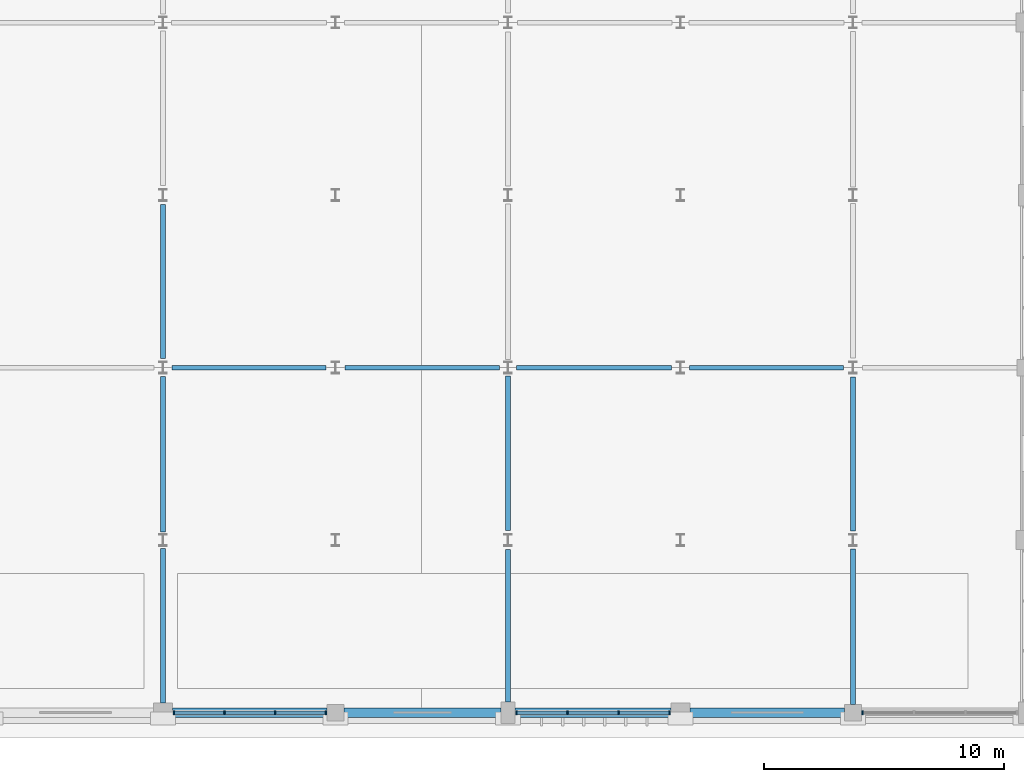
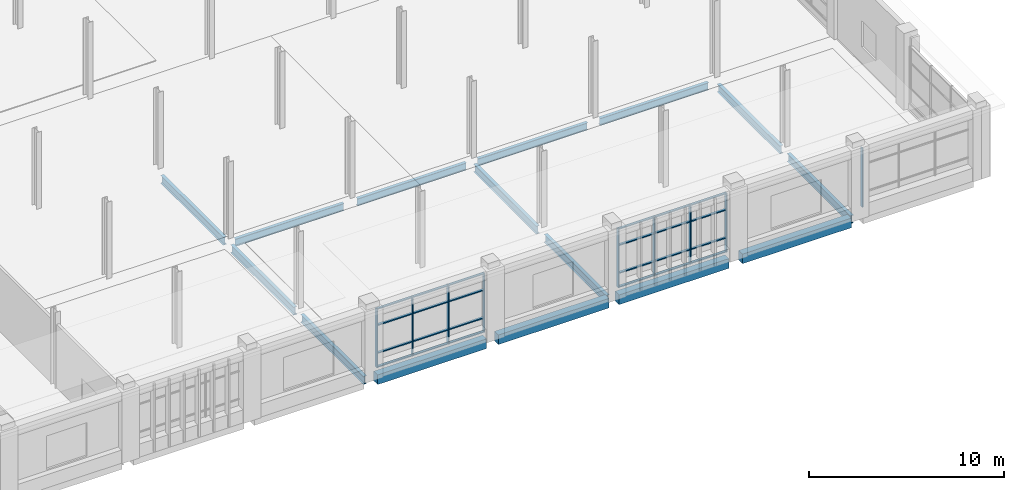
# One storey, part 39 of 82: 33 members, 15 beams, 3 elements without a shape of their own.
"""IFC4 building model written with IfcOpenShell, lengths in metres."""

from ifc_helpers import new_model, si_unit, direction, frame, origin, origin_2d, place, context, subcontext, project, spatial, rectangle, i_section, extrude, material, material_profile, profile_set, type_object, element, aggregate, save


model = new_model("IFC4")

# Units and contexts
model_context = context("Model", 3, precision=1e-05, world=origin(), true_north=direction((0.0, 1.0)))
body_context = subcontext(model_context, "Body", "Model", "MODEL_VIEW")
ifc_project = project(units=[si_unit("LENGTHUNIT", "METRE"), si_unit("AREAUNIT", "SQUARE_METRE"), si_unit("VOLUMEUNIT", "CUBIC_METRE"), si_unit("PLANEANGLEUNIT", "RADIAN"), si_unit("MASSUNIT", "GRAM", prefix="KILO")], contexts=[model_context])

# Site, building, storey
site_placement = place(None, origin())
site = spatial("IfcSite", under=ifc_project, at=site_placement, CompositionType="ELEMENT")
building_placement = place(site_placement, origin())
building = spatial("IfcBuilding", under=site, at=building_placement, Name="Sardonyx Promenade Sports Hall", CompositionType="ELEMENT")
storey_placement = place(building_placement, frame((0.0, 0.0, 11.199951171875)))
storey = spatial("IfcBuildingStorey", under=building, at=storey_placement, Name="L02", CompositionType="ELEMENT", Elevation=11.199951171875)

# Beams
ifc_material_1 = material(Name="Steel S355JR", Category="steel")
ifc_material_profile_1 = material_profile(ifc_material_1, i_section(OverallWidth=0.18994140625, OverallDepth=0.453369140625, WebThickness=0.008544921875, FlangeThickness=0.0126953125, at=origin_2d()))
ifc_profile_set_1 = profile_set([ifc_material_profile_1], Name="Steel S355JR")
beam_type_1 = type_object("IfcBeamType", Name="Bm_Girder_UB457", PredefinedType="BEAM", material=ifc_profile_set_1)
beam_1_placement = place(storey_placement, frame((129.97509765625, 14.39990234375, -0.5166015625), z_axis=(1.0, 0.0, 0.0), x_axis=(0.0, 1.0, 0.0)))
element("IfcBeam", 1, at=beam_1_placement, inside=storey, type_object=beam_type_1, Name="Beam SB01 L02 #488", PredefinedType="BEAM", context=body_context, shape_type="SweptSolid", body=[
    extrude(i_section(OverallWidth=0.18994140625, OverallDepth=0.453369140625, WebThickness=0.008544921875, FlangeThickness=0.0126953125, at=origin_2d()), origin(), (0.0, 0.0, 1.0), 6.4248046875),
])
beam_2_placement = place(storey_placement, frame((137.199951171875, 14.39990234375, -0.5166015625), z_axis=(1.0, 0.0, 0.0), x_axis=(0.0, 1.0, 0.0)))
element("IfcBeam", 2, at=beam_2_placement, inside=storey, type_object=beam_type_1, Name="Beam SB01 L02 #489", PredefinedType="BEAM", context=body_context, shape_type="SweptSolid", body=[
    extrude(i_section(OverallWidth=0.18994140625, OverallDepth=0.453369140625, WebThickness=0.008544921875, FlangeThickness=0.0126953125, at=origin_2d()), origin(), (0.0, 0.0, 1.0), 6.449951171875),
])
beam_3_placement = place(storey_placement, frame((144.35009765625, 14.39990234375, -0.5166015625), z_axis=(1.0, 0.0, 0.0), x_axis=(0.0, 1.0, 0.0)))
element("IfcBeam", 3, at=beam_3_placement, inside=storey, type_object=beam_type_1, Name="Beam SB01 L02 #490", PredefinedType="BEAM", context=body_context, shape_type="SweptSolid", body=[
    extrude(i_section(OverallWidth=0.18994140625, OverallDepth=0.453369140625, WebThickness=0.008544921875, FlangeThickness=0.0126953125, at=origin_2d()), origin(), (0.0, 0.0, 1.0), 6.474853515625),
])
beam_4_placement = place(storey_placement, frame((151.574951171875, 14.39990234375, -0.5166015625), z_axis=(1.0, 0.0, 0.0), x_axis=(0.0, 1.0, 0.0)))
element("IfcBeam", 4, at=beam_4_placement, inside=storey, type_object=beam_type_1, Name="Beam SB01 L02 #491", PredefinedType="BEAM", context=body_context, shape_type="SweptSolid", body=[
    extrude(i_section(OverallWidth=0.18994140625, OverallDepth=0.453369140625, WebThickness=0.008544921875, FlangeThickness=0.0126953125, at=origin_2d()), origin(), (0.0, 0.0, 1.0), 6.425048828125),
])
ifc_material_2 = material(Name="Steel S355JR", Category="steel")
ifc_material_profile_2 = material_profile(ifc_material_2, i_section(OverallWidth=0.199951171875, OverallDepth=0.5, WebThickness=0.01025390625, FlangeThickness=0.01611328125, at=origin_2d()))
ifc_profile_set_2 = profile_set([ifc_material_profile_2], Name="Steel S355JR")
beam_type_2 = type_object("IfcBeamType", Name="Bm_Primary_IPE500", PredefinedType="BEAM", material=ifc_profile_set_2)
beam_5_placement = place(storey_placement, frame((129.60009765625, 0.39990234375, -0.5400390625), z_axis=(0.0, 1.0, 0.0), x_axis=(-1.0, 0.0, 0.0)))
element("IfcBeam", 5, at=beam_5_placement, inside=storey, type_object=beam_type_2, Name="Beam SB06 L02 #667", PredefinedType="BEAM", context=body_context, shape_type="SweptSolid", body=[
    extrude(i_section(OverallWidth=0.199951171875, OverallDepth=0.5, WebThickness=0.01025390625, FlangeThickness=0.01611328125, at=origin_2d()), origin(), (0.0, 0.0, 1.0), 6.4501953125),
])
beam_6_placement = place(storey_placement, frame((129.60009765625, 7.550048828125, -0.5400390625), z_axis=(0.0, 1.0, 0.0), x_axis=(-1.0, 0.0, 0.0)))
element("IfcBeam", 6, at=beam_6_placement, inside=storey, type_object=beam_type_2, Name="Beam SB06 L02 #668", PredefinedType="BEAM", context=body_context, shape_type="SweptSolid", body=[
    extrude(i_section(OverallWidth=0.199951171875, OverallDepth=0.5, WebThickness=0.01025390625, FlangeThickness=0.01611328125, at=origin_2d()), origin(), (0.0, 0.0, 1.0), 6.474853515625),
])
beam_7_placement = place(storey_placement, frame((129.60009765625, 14.77490234375, -0.5400390625), z_axis=(0.0, 1.0, 0.0), x_axis=(-1.0, 0.0, 0.0)))
element("IfcBeam", 7, at=beam_7_placement, inside=storey, type_object=beam_type_2, Name="Beam SB06 L02 #669", PredefinedType="BEAM", context=body_context, shape_type="SweptSolid", body=[
    extrude(i_section(OverallWidth=0.199951171875, OverallDepth=0.5, WebThickness=0.01025390625, FlangeThickness=0.01611328125, at=origin_2d()), origin(), (0.0, 0.0, 1.0), 6.425048828125),
])
beam_8_placement = place(storey_placement, frame((144.0, 0.449951171875, -0.5400390625), z_axis=(0.0, 1.0, 0.0), x_axis=(-1.0, 0.0, 0.0)))
element("IfcBeam", 8, at=beam_8_placement, inside=storey, type_object=beam_type_2, Name="Beam SB06 L02 #674", PredefinedType="BEAM", context=body_context, shape_type="SweptSolid", body=[
    extrude(i_section(OverallWidth=0.199951171875, OverallDepth=0.5, WebThickness=0.01025390625, FlangeThickness=0.01611328125, at=origin_2d()), origin(), (0.0, 0.0, 1.0), 6.35009765625),
])
beam_9_placement = place(storey_placement, frame((144.0, 7.60009765625, -0.5400390625), z_axis=(0.0, 1.0, 0.0), x_axis=(-1.0, 0.0, 0.0)))
element("IfcBeam", 9, at=beam_9_placement, inside=storey, type_object=beam_type_2, Name="Beam SB06 L02 #675", PredefinedType="BEAM", context=body_context, shape_type="SweptSolid", body=[
    extrude(i_section(OverallWidth=0.199951171875, OverallDepth=0.5, WebThickness=0.01025390625, FlangeThickness=0.01611328125, at=origin_2d()), origin(), (0.0, 0.0, 1.0), 6.449951171875),
])
beam_10_placement = place(storey_placement, frame((158.39990234375, 0.35009765625, -0.5400390625), z_axis=(0.0, 1.0, 0.0), x_axis=(-1.0, 0.0, 0.0)))
element("IfcBeam", 10, at=beam_10_placement, inside=storey, type_object=beam_type_2, Name="Beam SB06 L02 #682", PredefinedType="BEAM", context=body_context, shape_type="SweptSolid", body=[
    extrude(i_section(OverallWidth=0.199951171875, OverallDepth=0.5, WebThickness=0.01025390625, FlangeThickness=0.01611328125, at=origin_2d()), origin(), (0.0, 0.0, 1.0), 6.474853515625),
])
beam_11_placement = place(storey_placement, frame((158.39990234375, 7.574951171875, -0.5400390625), z_axis=(0.0, 1.0, 0.0), x_axis=(-1.0, 0.0, 0.0)))
element("IfcBeam", 11, at=beam_11_placement, inside=storey, type_object=beam_type_2, Name="Beam SB06 L02 #683", PredefinedType="BEAM", context=body_context, shape_type="SweptSolid", body=[
    extrude(i_section(OverallWidth=0.199951171875, OverallDepth=0.5, WebThickness=0.01025390625, FlangeThickness=0.01611328125, at=origin_2d()), origin(), (0.0, 0.0, 1.0), 6.425048828125),
])
ifc_material_3 = material(Name="Concrete C40/50", Category="concrete")
ifc_material_profile_3 = material_profile(ifc_material_3, rectangle(XDim=0.39990234375, YDim=0.60009765625, at=origin_2d()))
ifc_profile_set_3 = profile_set([ifc_material_profile_3], Name="Concrete C40/50")
beam_type_3 = type_object("IfcBeamType", Name="Bm_Spandrel_RC600", PredefinedType="SPANDREL", material=ifc_profile_set_3)
beam_12_placement = place(storey_placement, frame((130.0, 0.0, -0.300048828125), z_axis=(1.0, 0.0, 0.0), x_axis=(0.0, 1.0, 0.0)))
element("IfcBeam", 12, at=beam_12_placement, inside=storey, type_object=beam_type_3, Name="Beam SPB1 L02 #465", PredefinedType="SPANDREL", context=body_context, shape_type="SweptSolid", body=[
    extrude(rectangle(XDim=0.39990234375, YDim=0.60009765625, at=origin_2d()), origin(), (0.0, 0.0, 1.0), 6.449951171875),
])
beam_13_placement = place(storey_placement, frame((137.14990234375, 0.0, -0.300048828125), z_axis=(1.0, 0.0, 0.0), x_axis=(0.0, 1.0, 0.0)))
element("IfcBeam", 13, at=beam_13_placement, inside=storey, type_object=beam_type_3, Name="Beam SPB1 L02 #466", PredefinedType="SPANDREL", context=body_context, shape_type="SweptSolid", body=[
    extrude(rectangle(XDim=0.39990234375, YDim=0.60009765625, at=origin_2d()), origin(), (0.0, 0.0, 1.0), 6.550048828125),
])
beam_14_placement = place(storey_placement, frame((144.300048828125, 0.0, -0.300048828125), z_axis=(1.0, 0.0, 0.0), x_axis=(0.0, 1.0, 0.0)))
element("IfcBeam", 14, at=beam_14_placement, inside=storey, type_object=beam_type_3, Name="Beam SPB1 L02 #467", PredefinedType="SPANDREL", context=body_context, shape_type="SweptSolid", body=[
    extrude(rectangle(XDim=0.39990234375, YDim=0.60009765625, at=origin_2d()), origin(), (0.0, 0.0, 1.0), 6.5),
])
beam_15_placement = place(storey_placement, frame((151.60009765625, 0.0, -0.300048828125), z_axis=(1.0, 0.0, 0.0), x_axis=(0.0, 1.0, 0.0)))
element("IfcBeam", 15, at=beam_15_placement, inside=storey, type_object=beam_type_3, Name="Beam SPB1 L02 #468", PredefinedType="SPANDREL", context=body_context, shape_type="SweptSolid", body=[
    extrude(rectangle(XDim=0.39990234375, YDim=0.60009765625, at=origin_2d()), origin(), (0.0, 0.0, 1.0), 6.449951171875),
])

# Curtain wall, member
ifc_material_4 = material(Name="Aluminium 6063-T6", Category="aluminium")
curtain_wall_type = type_object("IfcCurtainWallType", Name="CW_South_L02_640", PredefinedType="USERDEFINED", material=ifc_material_4)
curtain_wall_1_placement = place(storey_placement, origin())
curtain_wall_1 = element("IfcCurtainWall", 16, at=curtain_wall_1_placement, inside=storey, type_object=curtain_wall_type, Name="Curtain wall CW01 cw:L02:029", ObjectType="CURTAIN WALL", PredefinedType="USERDEFINED")
ifc_material_5 = material(Name="Aluminium 6063-T6", Category="aluminium")
ifc_material_profile_4 = material_profile(ifc_material_5, rectangle(XDim=0.06494140625, YDim=0.175048828125, at=origin_2d()))
ifc_profile_set_4 = profile_set([ifc_material_profile_4], Name="Aluminium 6063-T6")
member_type_1 = type_object("IfcMemberType", Name="CW_Mull_175", PredefinedType="MULLION", material=ifc_profile_set_4)
member_1_placement = place(storey_placement, frame((158.802490234375, 0.0, 0.35009765625), z_axis=(0.0, 0.0, 1.0), x_axis=(-1.0, 0.0, 0.0)))
member_1 = element("IfcMember", 17, at=member_1_placement, type_object=member_type_1, Name="Mullion CM02 cw:L02:029 #4", PredefinedType="MULLION", context=body_context, shape_type="SweptSolid", body=[
    extrude(rectangle(XDim=0.06494140625, YDim=0.175048828125, at=origin_2d()), origin(), (0.0, 0.0, 1.0), 3.699951171875),
])
aggregate(curtain_wall_1, [member_1])

# Curtain wall, members
curtain_wall_2_placement = place(storey_placement, origin())
curtain_wall_2 = element("IfcCurtainWall", 18, at=curtain_wall_2_placement, inside=storey, type_object=curtain_wall_type, Name="Curtain wall CW01 cw:L02:030", ObjectType="CURTAIN WALL", PredefinedType="USERDEFINED")
member_2_placement = place(storey_placement, frame((150.74755859375, 0.0, 0.35009765625), z_axis=(0.0, 0.0, 1.0), x_axis=(-1.0, 0.0, 0.0)))
member_2 = element("IfcMember", 19, at=member_2_placement, type_object=member_type_1, Name="Mullion CM02 cw:L02:030 #1", PredefinedType="MULLION", context=body_context, shape_type="SweptSolid", body=[
    extrude(rectangle(XDim=0.06494140625, YDim=0.175048828125, at=origin_2d()), origin(), (0.0, 0.0, 1.0), 3.699951171875),
])
member_3_placement = place(storey_placement, frame((148.61572265625, 0.0, 0.35009765625), z_axis=(0.0, 0.0, 1.0), x_axis=(-1.0, 0.0, 0.0)))
member_3 = element("IfcMember", 20, at=member_3_placement, type_object=member_type_1, Name="Mullion CM02 cw:L02:030 #2", PredefinedType="MULLION", context=body_context, shape_type="SweptSolid", body=[
    extrude(rectangle(XDim=0.06494140625, YDim=0.175048828125, at=origin_2d()), origin(), (0.0, 0.0, 1.0), 3.699951171875),
])
member_4_placement = place(storey_placement, frame((146.484130859375, 0.0, 0.35009765625), z_axis=(0.0, 0.0, 1.0), x_axis=(-1.0, 0.0, 0.0)))
member_4 = element("IfcMember", 21, at=member_4_placement, type_object=member_type_1, Name="Mullion CM02 cw:L02:030 #3", PredefinedType="MULLION", context=body_context, shape_type="SweptSolid", body=[
    extrude(rectangle(XDim=0.06494140625, YDim=0.175048828125, at=origin_2d()), origin(), (0.0, 0.0, 1.0), 3.699951171875),
])
member_5_placement = place(storey_placement, frame((144.3525390625, 0.0, 0.35009765625), z_axis=(0.0, 0.0, 1.0), x_axis=(-1.0, 0.0, 0.0)))
member_5 = element("IfcMember", 22, at=member_5_placement, type_object=member_type_1, Name="Mullion CM02 cw:L02:030 #4", PredefinedType="MULLION", context=body_context, shape_type="SweptSolid", body=[
    extrude(rectangle(XDim=0.06494140625, YDim=0.175048828125, at=origin_2d()), origin(), (0.0, 0.0, 1.0), 3.699951171875),
])

curtain_wall_3_placement = place(storey_placement, origin())
curtain_wall_3 = element("IfcCurtainWall", 23, at=curtain_wall_3_placement, inside=storey, type_object=curtain_wall_type, Name="Curtain wall CW01 cw:L02:031", ObjectType="CURTAIN WALL", PredefinedType="USERDEFINED")
member_6_placement = place(storey_placement, frame((136.3974609375, 0.0, 0.35009765625), z_axis=(0.0, 0.0, 1.0), x_axis=(-1.0, 0.0, 0.0)))
member_6 = element("IfcMember", 24, at=member_6_placement, type_object=member_type_1, Name="Mullion CM02 cw:L02:031 #1", PredefinedType="MULLION", context=body_context, shape_type="SweptSolid", body=[
    extrude(rectangle(XDim=0.06494140625, YDim=0.175048828125, at=origin_2d()), origin(), (0.0, 0.0, 1.0), 3.699951171875),
])
member_7_placement = place(storey_placement, frame((134.282470703125, 0.0, 0.35009765625), z_axis=(0.0, 0.0, 1.0), x_axis=(-1.0, 0.0, 0.0)))
member_7 = element("IfcMember", 25, at=member_7_placement, type_object=member_type_1, Name="Mullion CM02 cw:L02:031 #2", PredefinedType="MULLION", context=body_context, shape_type="SweptSolid", body=[
    extrude(rectangle(XDim=0.06494140625, YDim=0.175048828125, at=origin_2d()), origin(), (0.0, 0.0, 1.0), 3.699951171875),
])
member_8_placement = place(storey_placement, frame((132.16748046875, 0.0, 0.35009765625), z_axis=(0.0, 0.0, 1.0), x_axis=(-1.0, 0.0, 0.0)))
member_8 = element("IfcMember", 26, at=member_8_placement, type_object=member_type_1, Name="Mullion CM02 cw:L02:031 #3", PredefinedType="MULLION", context=body_context, shape_type="SweptSolid", body=[
    extrude(rectangle(XDim=0.06494140625, YDim=0.175048828125, at=origin_2d()), origin(), (0.0, 0.0, 1.0), 3.699951171875),
])
member_9_placement = place(storey_placement, frame((130.052490234375, 0.0, 0.35009765625), z_axis=(0.0, 0.0, 1.0), x_axis=(-1.0, 0.0, 0.0)))
member_9 = element("IfcMember", 27, at=member_9_placement, type_object=member_type_1, Name="Mullion CM02 cw:L02:031 #4", PredefinedType="MULLION", context=body_context, shape_type="SweptSolid", body=[
    extrude(rectangle(XDim=0.06494140625, YDim=0.175048828125, at=origin_2d()), origin(), (0.0, 0.0, 1.0), 3.699951171875),
])

# Member
ifc_material_6 = material(Name="Aluminium 6063-T6", Category="aluminium")
ifc_material_profile_5 = material_profile(ifc_material_6, rectangle(XDim=0.06494140625, YDim=0.139892578125, at=origin_2d()))
ifc_profile_set_5 = profile_set([ifc_material_profile_5], Name="Aluminium 6063-T6")
member_type_2 = type_object("IfcMemberType", Name="CW_Tran_140", PredefinedType="USERDEFINED", material=ifc_profile_set_5)
member_10_placement = place(storey_placement, frame((150.715087890625, 0.0, 0.382568359375), z_axis=(-1.0, 0.0, 0.0), x_axis=(0.0, 0.0, 1.0)))
member_10 = element("IfcMember", 28, at=member_10_placement, type_object=member_type_2, Name="Transom CT02 cw:L02:030 #1", ObjectType="TRANSOM", PredefinedType="USERDEFINED", context=body_context, shape_type="SweptSolid", body=[
    extrude(rectangle(XDim=0.06494140625, YDim=0.139892578125, at=origin_2d()), origin(), (0.0, 0.0, 1.0), 2.066650390625),
])

member_11_placement = place(storey_placement, frame((150.715087890625, 0.0, 1.25), z_axis=(-1.0, 0.0, 0.0), x_axis=(0.0, 0.0, 1.0)))
member_11 = element("IfcMember", 29, at=member_11_placement, type_object=member_type_2, Name="Transom CT02 cw:L02:030 #2", ObjectType="TRANSOM", PredefinedType="USERDEFINED", context=body_context, shape_type="SweptSolid", body=[
    extrude(rectangle(XDim=0.06494140625, YDim=0.139892578125, at=origin_2d()), origin(), (0.0, 0.0, 1.0), 2.066650390625),
])

member_12_placement = place(storey_placement, frame((150.715087890625, 0.0, 3.0), z_axis=(-1.0, 0.0, 0.0), x_axis=(0.0, 0.0, 1.0)))
member_12 = element("IfcMember", 30, at=member_12_placement, type_object=member_type_2, Name="Transom CT02 cw:L02:030 #3", ObjectType="TRANSOM", PredefinedType="USERDEFINED", context=body_context, shape_type="SweptSolid", body=[
    extrude(rectangle(XDim=0.06494140625, YDim=0.139892578125, at=origin_2d()), origin(), (0.0, 0.0, 1.0), 2.066650390625),
])

member_13_placement = place(storey_placement, frame((150.715087890625, 0.0, 4.017578125), z_axis=(-1.0, 0.0, 0.0), x_axis=(0.0, 0.0, 1.0)))
member_13 = element("IfcMember", 31, at=member_13_placement, type_object=member_type_2, Name="Transom CT02 cw:L02:030 #4", ObjectType="TRANSOM", PredefinedType="USERDEFINED", context=body_context, shape_type="SweptSolid", body=[
    extrude(rectangle(XDim=0.06494140625, YDim=0.139892578125, at=origin_2d()), origin(), (0.0, 0.0, 1.0), 2.066650390625),
])

member_14_placement = place(storey_placement, frame((148.583251953125, 0.0, 0.382568359375), z_axis=(-1.0, 0.0, 0.0), x_axis=(0.0, 0.0, 1.0)))
member_14 = element("IfcMember", 32, at=member_14_placement, type_object=member_type_2, Name="Transom CT02 cw:L02:030 #5", ObjectType="TRANSOM", PredefinedType="USERDEFINED", context=body_context, shape_type="SweptSolid", body=[
    extrude(rectangle(XDim=0.06494140625, YDim=0.139892578125, at=origin_2d()), origin(), (0.0, 0.0, 1.0), 2.066650390625),
])

member_15_placement = place(storey_placement, frame((148.583251953125, 0.0, 1.25), z_axis=(-1.0, 0.0, 0.0), x_axis=(0.0, 0.0, 1.0)))
member_15 = element("IfcMember", 33, at=member_15_placement, type_object=member_type_2, Name="Transom CT02 cw:L02:030 #6", ObjectType="TRANSOM", PredefinedType="USERDEFINED", context=body_context, shape_type="SweptSolid", body=[
    extrude(rectangle(XDim=0.06494140625, YDim=0.139892578125, at=origin_2d()), origin(), (0.0, 0.0, 1.0), 2.066650390625),
])

member_16_placement = place(storey_placement, frame((148.583251953125, 0.0, 3.0), z_axis=(-1.0, 0.0, 0.0), x_axis=(0.0, 0.0, 1.0)))
member_16 = element("IfcMember", 34, at=member_16_placement, type_object=member_type_2, Name="Transom CT02 cw:L02:030 #7", ObjectType="TRANSOM", PredefinedType="USERDEFINED", context=body_context, shape_type="SweptSolid", body=[
    extrude(rectangle(XDim=0.06494140625, YDim=0.139892578125, at=origin_2d()), origin(), (0.0, 0.0, 1.0), 2.066650390625),
])

member_17_placement = place(storey_placement, frame((148.583251953125, 0.0, 4.017578125), z_axis=(-1.0, 0.0, 0.0), x_axis=(0.0, 0.0, 1.0)))
member_17 = element("IfcMember", 35, at=member_17_placement, type_object=member_type_2, Name="Transom CT02 cw:L02:030 #8", ObjectType="TRANSOM", PredefinedType="USERDEFINED", context=body_context, shape_type="SweptSolid", body=[
    extrude(rectangle(XDim=0.06494140625, YDim=0.139892578125, at=origin_2d()), origin(), (0.0, 0.0, 1.0), 2.066650390625),
])

member_18_placement = place(storey_placement, frame((146.45166015625, 0.0, 0.382568359375), z_axis=(-1.0, 0.0, 0.0), x_axis=(0.0, 0.0, 1.0)))
member_18 = element("IfcMember", 36, at=member_18_placement, type_object=member_type_2, Name="Transom CT02 cw:L02:030 #9", ObjectType="TRANSOM", PredefinedType="USERDEFINED", context=body_context, shape_type="SweptSolid", body=[
    extrude(rectangle(XDim=0.06494140625, YDim=0.139892578125, at=origin_2d()), origin(), (0.0, 0.0, 1.0), 2.066650390625),
])

member_19_placement = place(storey_placement, frame((146.45166015625, 0.0, 1.25), z_axis=(-1.0, 0.0, 0.0), x_axis=(0.0, 0.0, 1.0)))
member_19 = element("IfcMember", 37, at=member_19_placement, type_object=member_type_2, Name="Transom CT02 cw:L02:030 #10", ObjectType="TRANSOM", PredefinedType="USERDEFINED", context=body_context, shape_type="SweptSolid", body=[
    extrude(rectangle(XDim=0.06494140625, YDim=0.139892578125, at=origin_2d()), origin(), (0.0, 0.0, 1.0), 2.066650390625),
])

member_20_placement = place(storey_placement, frame((146.45166015625, 0.0, 3.0), z_axis=(-1.0, 0.0, 0.0), x_axis=(0.0, 0.0, 1.0)))
member_20 = element("IfcMember", 38, at=member_20_placement, type_object=member_type_2, Name="Transom CT02 cw:L02:030 #11", ObjectType="TRANSOM", PredefinedType="USERDEFINED", context=body_context, shape_type="SweptSolid", body=[
    extrude(rectangle(XDim=0.06494140625, YDim=0.139892578125, at=origin_2d()), origin(), (0.0, 0.0, 1.0), 2.066650390625),
])

member_21_placement = place(storey_placement, frame((146.45166015625, 0.0, 4.017578125), z_axis=(-1.0, 0.0, 0.0), x_axis=(0.0, 0.0, 1.0)))
member_21 = element("IfcMember", 39, at=member_21_placement, type_object=member_type_2, Name="Transom CT02 cw:L02:030 #12", ObjectType="TRANSOM", PredefinedType="USERDEFINED", context=body_context, shape_type="SweptSolid", body=[
    extrude(rectangle(XDim=0.06494140625, YDim=0.139892578125, at=origin_2d()), origin(), (0.0, 0.0, 1.0), 2.066650390625),
])

aggregate(curtain_wall_2, [member_2, member_3, member_4, member_5, member_10, member_11, member_12, member_13, member_14, member_15, member_16, member_17, member_18, member_19, member_20, member_21])

member_22_placement = place(storey_placement, frame((136.364990234375, 0.0, 0.382568359375), z_axis=(-1.0, 0.0, 0.0), x_axis=(0.0, 0.0, 1.0)))
member_22 = element("IfcMember", 40, at=member_22_placement, type_object=member_type_2, Name="Transom CT02 cw:L02:031 #1", ObjectType="TRANSOM", PredefinedType="USERDEFINED", context=body_context, shape_type="SweptSolid", body=[
    extrude(rectangle(XDim=0.06494140625, YDim=0.139892578125, at=origin_2d()), origin(), (0.0, 0.0, 1.0), 2.050048828125),
])

member_23_placement = place(storey_placement, frame((136.364990234375, 0.0, 1.25), z_axis=(-1.0, 0.0, 0.0), x_axis=(0.0, 0.0, 1.0)))
member_23 = element("IfcMember", 41, at=member_23_placement, type_object=member_type_2, Name="Transom CT02 cw:L02:031 #2", ObjectType="TRANSOM", PredefinedType="USERDEFINED", context=body_context, shape_type="SweptSolid", body=[
    extrude(rectangle(XDim=0.06494140625, YDim=0.139892578125, at=origin_2d()), origin(), (0.0, 0.0, 1.0), 2.050048828125),
])

member_24_placement = place(storey_placement, frame((136.364990234375, 0.0, 3.0), z_axis=(-1.0, 0.0, 0.0), x_axis=(0.0, 0.0, 1.0)))
member_24 = element("IfcMember", 42, at=member_24_placement, type_object=member_type_2, Name="Transom CT02 cw:L02:031 #3", ObjectType="TRANSOM", PredefinedType="USERDEFINED", context=body_context, shape_type="SweptSolid", body=[
    extrude(rectangle(XDim=0.06494140625, YDim=0.139892578125, at=origin_2d()), origin(), (0.0, 0.0, 1.0), 2.050048828125),
])

member_25_placement = place(storey_placement, frame((136.364990234375, 0.0, 4.017578125), z_axis=(-1.0, 0.0, 0.0), x_axis=(0.0, 0.0, 1.0)))
member_25 = element("IfcMember", 43, at=member_25_placement, type_object=member_type_2, Name="Transom CT02 cw:L02:031 #4", ObjectType="TRANSOM", PredefinedType="USERDEFINED", context=body_context, shape_type="SweptSolid", body=[
    extrude(rectangle(XDim=0.06494140625, YDim=0.139892578125, at=origin_2d()), origin(), (0.0, 0.0, 1.0), 2.050048828125),
])

member_26_placement = place(storey_placement, frame((134.25, 0.0, 0.382568359375), z_axis=(-1.0, 0.0, 0.0), x_axis=(0.0, 0.0, 1.0)))
member_26 = element("IfcMember", 44, at=member_26_placement, type_object=member_type_2, Name="Transom CT02 cw:L02:031 #5", ObjectType="TRANSOM", PredefinedType="USERDEFINED", context=body_context, shape_type="SweptSolid", body=[
    extrude(rectangle(XDim=0.06494140625, YDim=0.139892578125, at=origin_2d()), origin(), (0.0, 0.0, 1.0), 2.050048828125),
])

member_27_placement = place(storey_placement, frame((134.25, 0.0, 1.25), z_axis=(-1.0, 0.0, 0.0), x_axis=(0.0, 0.0, 1.0)))
member_27 = element("IfcMember", 45, at=member_27_placement, type_object=member_type_2, Name="Transom CT02 cw:L02:031 #6", ObjectType="TRANSOM", PredefinedType="USERDEFINED", context=body_context, shape_type="SweptSolid", body=[
    extrude(rectangle(XDim=0.06494140625, YDim=0.139892578125, at=origin_2d()), origin(), (0.0, 0.0, 1.0), 2.050048828125),
])

member_28_placement = place(storey_placement, frame((134.25, 0.0, 3.0), z_axis=(-1.0, 0.0, 0.0), x_axis=(0.0, 0.0, 1.0)))
member_28 = element("IfcMember", 46, at=member_28_placement, type_object=member_type_2, Name="Transom CT02 cw:L02:031 #7", ObjectType="TRANSOM", PredefinedType="USERDEFINED", context=body_context, shape_type="SweptSolid", body=[
    extrude(rectangle(XDim=0.06494140625, YDim=0.139892578125, at=origin_2d()), origin(), (0.0, 0.0, 1.0), 2.050048828125),
])

member_29_placement = place(storey_placement, frame((134.25, 0.0, 4.017578125), z_axis=(-1.0, 0.0, 0.0), x_axis=(0.0, 0.0, 1.0)))
member_29 = element("IfcMember", 47, at=member_29_placement, type_object=member_type_2, Name="Transom CT02 cw:L02:031 #8", ObjectType="TRANSOM", PredefinedType="USERDEFINED", context=body_context, shape_type="SweptSolid", body=[
    extrude(rectangle(XDim=0.06494140625, YDim=0.139892578125, at=origin_2d()), origin(), (0.0, 0.0, 1.0), 2.050048828125),
])

member_30_placement = place(storey_placement, frame((132.135009765625, 0.0, 0.382568359375), z_axis=(-1.0, 0.0, 0.0), x_axis=(0.0, 0.0, 1.0)))
member_30 = element("IfcMember", 48, at=member_30_placement, type_object=member_type_2, Name="Transom CT02 cw:L02:031 #9", ObjectType="TRANSOM", PredefinedType="USERDEFINED", context=body_context, shape_type="SweptSolid", body=[
    extrude(rectangle(XDim=0.06494140625, YDim=0.139892578125, at=origin_2d()), origin(), (0.0, 0.0, 1.0), 2.050048828125),
])

member_31_placement = place(storey_placement, frame((132.135009765625, 0.0, 1.25), z_axis=(-1.0, 0.0, 0.0), x_axis=(0.0, 0.0, 1.0)))
member_31 = element("IfcMember", 49, at=member_31_placement, type_object=member_type_2, Name="Transom CT02 cw:L02:031 #10", ObjectType="TRANSOM", PredefinedType="USERDEFINED", context=body_context, shape_type="SweptSolid", body=[
    extrude(rectangle(XDim=0.06494140625, YDim=0.139892578125, at=origin_2d()), origin(), (0.0, 0.0, 1.0), 2.050048828125),
])

member_32_placement = place(storey_placement, frame((132.135009765625, 0.0, 3.0), z_axis=(-1.0, 0.0, 0.0), x_axis=(0.0, 0.0, 1.0)))
member_32 = element("IfcMember", 50, at=member_32_placement, type_object=member_type_2, Name="Transom CT02 cw:L02:031 #11", ObjectType="TRANSOM", PredefinedType="USERDEFINED", context=body_context, shape_type="SweptSolid", body=[
    extrude(rectangle(XDim=0.06494140625, YDim=0.139892578125, at=origin_2d()), origin(), (0.0, 0.0, 1.0), 2.050048828125),
])

member_33_placement = place(storey_placement, frame((132.135009765625, 0.0, 4.017578125), z_axis=(-1.0, 0.0, 0.0), x_axis=(0.0, 0.0, 1.0)))
member_33 = element("IfcMember", 51, at=member_33_placement, type_object=member_type_2, Name="Transom CT02 cw:L02:031 #12", ObjectType="TRANSOM", PredefinedType="USERDEFINED", context=body_context, shape_type="SweptSolid", body=[
    extrude(rectangle(XDim=0.06494140625, YDim=0.139892578125, at=origin_2d()), origin(), (0.0, 0.0, 1.0), 2.050048828125),
])

aggregate(curtain_wall_3, [member_6, member_7, member_8, member_9, member_22, member_23, member_24, member_25, member_26, member_27, member_28, member_29, member_30, member_31, member_32, member_33])

save(model, "model.ifc")
